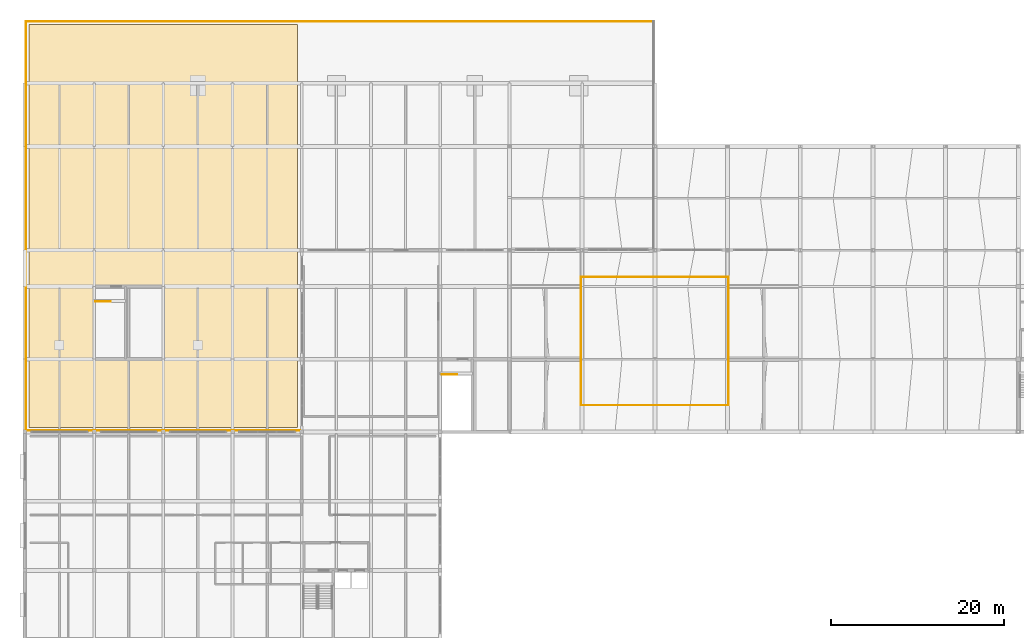
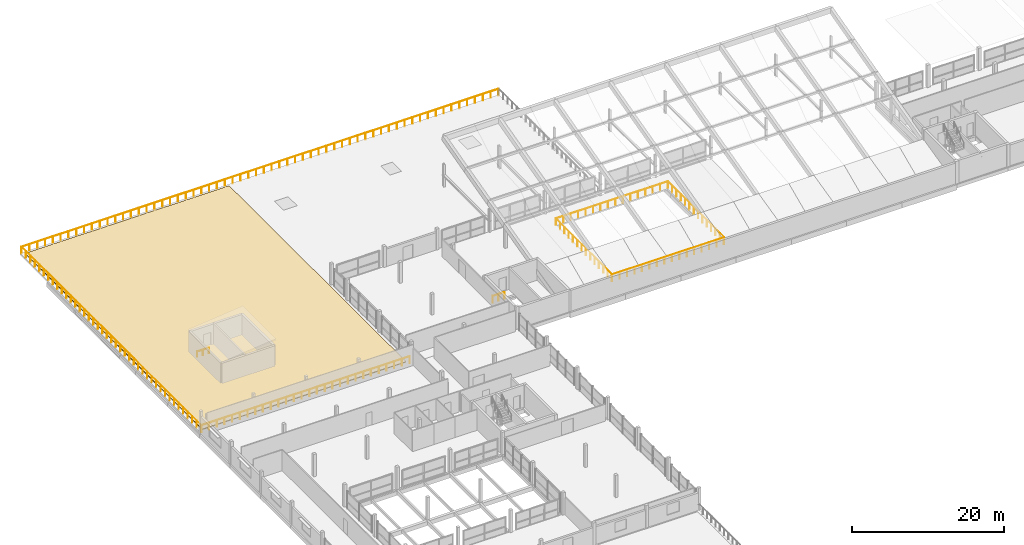
# One storey, part 47 of 51: 9 railings, 1 covering.
"""IFC4 building model written with IfcOpenShell, lengths in metres."""

from ifc_helpers import new_model, si_unit, direction, frame, origin, origin_2d, place, context, subcontext, project, spatial, polyline, circle, outline, extrude, material, layer, layer_set, type_object, element, save


model = new_model("IFC4")

# Units and contexts
model_context = context("Model", 3, precision=1e-05, world=origin(), true_north=direction((0.0, 1.0)))
body_context = subcontext(model_context, "Body", "Model", "MODEL_VIEW")
ifc_project = project(units=[si_unit("LENGTHUNIT", "METRE"), si_unit("AREAUNIT", "SQUARE_METRE"), si_unit("VOLUMEUNIT", "CUBIC_METRE"), si_unit("PLANEANGLEUNIT", "RADIAN"), si_unit("MASSUNIT", "GRAM", prefix="KILO")], contexts=[model_context])

# Site, building, storey
site_placement = place(None, origin())
site = spatial("IfcSite", under=ifc_project, at=site_placement, CompositionType="ELEMENT")
building_placement = place(site_placement, origin())
building = spatial("IfcBuilding", under=site, at=building_placement, Name="Vharandega Faculty of Natural Sciences", CompositionType="ELEMENT")
storey_placement = place(building_placement, frame((0.0, 0.0, 18.0)))
storey = spatial("IfcBuildingStorey", under=building, at=storey_placement, Name="L04", CompositionType="ELEMENT", Elevation=18.0)

# Railings
ifc_material_1 = material(Name="Timber-capped steel and glass balustrade", Category="steel")
railing_type_1 = type_object("IfcRailingType", Name="Atrium Void Balustrade 1100", PredefinedType="BALUSTRADE", material=ifc_material_1)
railing_1_placement = place(storey_placement, frame((64.304931640625, 67.080078125, 0.0)))
element("IfcRailing", 1, at=railing_1_placement, inside=storey, type_object=railing_type_1, Name="Atrium Void Balustrade L04 #1", PredefinedType="BALUSTRADE", context=body_context, shape_type="SweptSolid", body=[
    extrude(circle(Radius=0.02392578125, at=origin_2d()), frame((0.0, 0.0, 1.076171875), z_axis=(1.0, 0.0, 0.0), x_axis=(0.0, 1.0, 0.0)), (0.0, 0.0, 1.0), 16.989990234375),
    extrude(circle(Radius=0.02099609375, at=origin_2d()), origin(), (0.0, 0.0, 1.0), 1.052001953125),
    extrude(circle(Radius=0.02099609375, at=origin_2d()), frame((1.132568359375, 0.0, 0.0)), (0.0, 0.0, 1.0), 1.052001953125),
    extrude(circle(Radius=0.02099609375, at=origin_2d()), frame((2.265380859375, 0.0, 0.0)), (0.0, 0.0, 1.0), 1.052001953125),
    extrude(circle(Radius=0.02099609375, at=origin_2d()), frame((3.39794921875, 0.0, 0.0)), (0.0, 0.0, 1.0), 1.052001953125),
    extrude(circle(Radius=0.02099609375, at=origin_2d()), frame((4.53076171875, 0.0, 0.0)), (0.0, 0.0, 1.0), 1.052001953125),
    extrude(circle(Radius=0.02099609375, at=origin_2d()), frame((5.663330078125, 0.0, 0.0)), (0.0, 0.0, 1.0), 1.052001953125),
    extrude(circle(Radius=0.02099609375, at=origin_2d()), frame((6.7958984375, 0.0, 0.0)), (0.0, 0.0, 1.0), 1.052001953125),
    extrude(circle(Radius=0.02099609375, at=origin_2d()), frame((7.9287109375, 0.0, 0.0)), (0.0, 0.0, 1.0), 1.052001953125),
    extrude(circle(Radius=0.02099609375, at=origin_2d()), frame((9.061279296875, 0.0, 0.0)), (0.0, 0.0, 1.0), 1.052001953125),
    extrude(circle(Radius=0.02099609375, at=origin_2d()), frame((10.194091796875, 0.0, 0.0)), (0.0, 0.0, 1.0), 1.052001953125),
    extrude(circle(Radius=0.02099609375, at=origin_2d()), frame((11.32666015625, 0.0, 0.0)), (0.0, 0.0, 1.0), 1.052001953125),
    extrude(circle(Radius=0.02099609375, at=origin_2d()), frame((12.459228515625, 0.0, 0.0)), (0.0, 0.0, 1.0), 1.052001953125),
    extrude(circle(Radius=0.02099609375, at=origin_2d()), frame((13.592041015625, 0.0, 0.0)), (0.0, 0.0, 1.0), 1.052001953125),
    extrude(circle(Radius=0.02099609375, at=origin_2d()), frame((14.724609375, 0.0, 0.0)), (0.0, 0.0, 1.0), 1.052001953125),
    extrude(circle(Radius=0.02099609375, at=origin_2d()), frame((15.857421875, 0.0, 0.0)), (0.0, 0.0, 1.0), 1.052001953125),
    extrude(circle(Radius=0.02099609375, at=origin_2d()), frame((16.989990234375, 0.0, 0.0)), (0.0, 0.0, 1.0), 1.052001953125),
])
railing_2_placement = place(storey_placement, frame((81.320068359375, 67.10498046875, 0.0)))
element("IfcRailing", 2, at=railing_2_placement, inside=storey, type_object=railing_type_1, Name="Atrium Void Balustrade L04 #2", PredefinedType="BALUSTRADE", context=body_context, shape_type="SweptSolid", body=[
    extrude(circle(Radius=0.02392578125, at=origin_2d()), frame((0.0, 0.0, 1.076171875), z_axis=(0.0, 1.0, 0.0), x_axis=(-1.0, 0.0, 0.0)), (0.0, 0.0, 1.0), 14.7900390625),
    extrude(circle(Radius=0.02099609375, at=origin_2d()), origin(), (0.0, 0.0, 1.0), 1.052001953125),
    extrude(circle(Radius=0.02099609375, at=origin_2d()), frame((0.0, 1.1376953125, 0.0)), (0.0, 0.0, 1.0), 1.052001953125),
    extrude(circle(Radius=0.02099609375, at=origin_2d()), frame((0.0, 2.275390625, 0.0)), (0.0, 0.0, 1.0), 1.052001953125),
    extrude(circle(Radius=0.02099609375, at=origin_2d()), frame((0.0, 3.4130859375, 0.0)), (0.0, 0.0, 1.0), 1.052001953125),
    extrude(circle(Radius=0.02099609375, at=origin_2d()), frame((0.0, 4.55078125, 0.0)), (0.0, 0.0, 1.0), 1.052001953125),
    extrude(circle(Radius=0.02099609375, at=origin_2d()), frame((0.0, 5.6884765625, 0.0)), (0.0, 0.0, 1.0), 1.052001953125),
    extrude(circle(Radius=0.02099609375, at=origin_2d()), frame((0.0, 6.826171875, 0.0)), (0.0, 0.0, 1.0), 1.052001953125),
    extrude(circle(Radius=0.02099609375, at=origin_2d()), frame((0.0, 7.9638671875, 0.0)), (0.0, 0.0, 1.0), 1.052001953125),
    extrude(circle(Radius=0.02099609375, at=origin_2d()), frame((0.0, 9.1015625, 0.0)), (0.0, 0.0, 1.0), 1.052001953125),
    extrude(circle(Radius=0.02099609375, at=origin_2d()), frame((0.0, 10.2392578125, 0.0)), (0.0, 0.0, 1.0), 1.052001953125),
    extrude(circle(Radius=0.02099609375, at=origin_2d()), frame((0.0, 11.376953125, 0.0)), (0.0, 0.0, 1.0), 1.052001953125),
    extrude(circle(Radius=0.02099609375, at=origin_2d()), frame((0.0, 12.5146484375, 0.0)), (0.0, 0.0, 1.0), 1.052001953125),
    extrude(circle(Radius=0.02099609375, at=origin_2d()), frame((0.0, 13.65234375, 0.0)), (0.0, 0.0, 1.0), 1.052001953125),
    extrude(circle(Radius=0.02099609375, at=origin_2d()), frame((0.0, 14.7900390625, 0.0)), (0.0, 0.0, 1.0), 1.052001953125),
])
railing_3_placement = place(storey_placement, frame((81.294921875, 81.919921875, 0.0)))
element("IfcRailing", 3, at=railing_3_placement, inside=storey, type_object=railing_type_1, Name="Atrium Void Balustrade L04 #3", PredefinedType="BALUSTRADE", context=body_context, shape_type="SweptSolid", body=[
    extrude(circle(Radius=0.02392578125, at=origin_2d()), frame((0.0, 0.0, 1.076171875), z_axis=(-1.0, 0.0, 0.0), x_axis=(0.0, -1.0, 0.0)), (0.0, 0.0, 1.0), 16.989990234375),
    extrude(circle(Radius=0.02099609375, at=origin_2d()), origin(), (0.0, 0.0, 1.0), 1.052001953125),
    extrude(circle(Radius=0.02099609375, at=origin_2d()), frame((-1.132568359375, 0.0, 0.0)), (0.0, 0.0, 1.0), 1.052001953125),
    extrude(circle(Radius=0.02099609375, at=origin_2d()), frame((-2.265380859375, 0.0, 0.0)), (0.0, 0.0, 1.0), 1.052001953125),
    extrude(circle(Radius=0.02099609375, at=origin_2d()), frame((-3.39794921875, 0.0, 0.0)), (0.0, 0.0, 1.0), 1.052001953125),
    extrude(circle(Radius=0.02099609375, at=origin_2d()), frame((-4.53076171875, 0.0, 0.0)), (0.0, 0.0, 1.0), 1.052001953125),
    extrude(circle(Radius=0.02099609375, at=origin_2d()), frame((-5.663330078125, 0.0, 0.0)), (0.0, 0.0, 1.0), 1.052001953125),
    extrude(circle(Radius=0.02099609375, at=origin_2d()), frame((-6.7958984375, 0.0, 0.0)), (0.0, 0.0, 1.0), 1.052001953125),
    extrude(circle(Radius=0.02099609375, at=origin_2d()), frame((-7.9287109375, 0.0, 0.0)), (0.0, 0.0, 1.0), 1.052001953125),
    extrude(circle(Radius=0.02099609375, at=origin_2d()), frame((-9.061279296875, 0.0, 0.0)), (0.0, 0.0, 1.0), 1.052001953125),
    extrude(circle(Radius=0.02099609375, at=origin_2d()), frame((-10.194091796875, 0.0, 0.0)), (0.0, 0.0, 1.0), 1.052001953125),
    extrude(circle(Radius=0.02099609375, at=origin_2d()), frame((-11.32666015625, 0.0, 0.0)), (0.0, 0.0, 1.0), 1.052001953125),
    extrude(circle(Radius=0.02099609375, at=origin_2d()), frame((-12.459228515625, 0.0, 0.0)), (0.0, 0.0, 1.0), 1.052001953125),
    extrude(circle(Radius=0.02099609375, at=origin_2d()), frame((-13.592041015625, 0.0, 0.0)), (0.0, 0.0, 1.0), 1.052001953125),
    extrude(circle(Radius=0.02099609375, at=origin_2d()), frame((-14.724609375, 0.0, 0.0)), (0.0, 0.0, 1.0), 1.052001953125),
    extrude(circle(Radius=0.02099609375, at=origin_2d()), frame((-15.857421875, 0.0, 0.0)), (0.0, 0.0, 1.0), 1.052001953125),
    extrude(circle(Radius=0.02099609375, at=origin_2d()), frame((-16.989990234375, 0.0, 0.0)), (0.0, 0.0, 1.0), 1.052001953125),
])
railing_4_placement = place(storey_placement, frame((64.280029296875, 81.89501953125, 0.0)))
element("IfcRailing", 4, at=railing_4_placement, inside=storey, type_object=railing_type_1, Name="Atrium Void Balustrade L04 #4", PredefinedType="BALUSTRADE", context=body_context, shape_type="SweptSolid", body=[
    extrude(circle(Radius=0.02392578125, at=origin_2d()), frame((0.0, 0.0, 1.076171875), z_axis=(0.0, -1.0, 0.0), x_axis=(1.0, 0.0, 0.0)), (0.0, 0.0, 1.0), 14.7900390625),
    extrude(circle(Radius=0.02099609375, at=origin_2d()), origin(), (0.0, 0.0, 1.0), 1.052001953125),
    extrude(circle(Radius=0.02099609375, at=origin_2d()), frame((0.0, -1.1376953125, 0.0)), (0.0, 0.0, 1.0), 1.052001953125),
    extrude(circle(Radius=0.02099609375, at=origin_2d()), frame((0.0, -2.275390625, 0.0)), (0.0, 0.0, 1.0), 1.052001953125),
    extrude(circle(Radius=0.02099609375, at=origin_2d()), frame((0.0, -3.4130859375, 0.0)), (0.0, 0.0, 1.0), 1.052001953125),
    extrude(circle(Radius=0.02099609375, at=origin_2d()), frame((0.0, -4.55078125, 0.0)), (0.0, 0.0, 1.0), 1.052001953125),
    extrude(circle(Radius=0.02099609375, at=origin_2d()), frame((0.0, -5.6884765625, 0.0)), (0.0, 0.0, 1.0), 1.052001953125),
    extrude(circle(Radius=0.02099609375, at=origin_2d()), frame((0.0, -6.826171875, 0.0)), (0.0, 0.0, 1.0), 1.052001953125),
    extrude(circle(Radius=0.02099609375, at=origin_2d()), frame((0.0, -7.9638671875, 0.0)), (0.0, 0.0, 1.0), 1.052001953125),
    extrude(circle(Radius=0.02099609375, at=origin_2d()), frame((0.0, -9.1015625, 0.0)), (0.0, 0.0, 1.0), 1.052001953125),
    extrude(circle(Radius=0.02099609375, at=origin_2d()), frame((0.0, -10.2392578125, 0.0)), (0.0, 0.0, 1.0), 1.052001953125),
    extrude(circle(Radius=0.02099609375, at=origin_2d()), frame((0.0, -11.376953125, 0.0)), (0.0, 0.0, 1.0), 1.052001953125),
    extrude(circle(Radius=0.02099609375, at=origin_2d()), frame((0.0, -12.5146484375, 0.0)), (0.0, 0.0, 1.0), 1.052001953125),
    extrude(circle(Radius=0.02099609375, at=origin_2d()), frame((0.0, -13.65234375, 0.0)), (0.0, 0.0, 1.0), 1.052001953125),
    extrude(circle(Radius=0.02099609375, at=origin_2d()), frame((0.0, -14.7900390625, 0.0)), (0.0, 0.0, 1.0), 1.052001953125),
])

# Covering
ifc_material_2 = material(Name="Planted green roof substrate and membrane", Category="concrete")
ifc_layer = layer(ifc_material_2, 0.1201171875, Name="Planted green roof substrate and membrane")
ifc_layer_set = layer_set([ifc_layer], Name="Planted green roof substrate and membrane")
covering_type = type_object("IfcCoveringType", Name="Planted Intensive Green Roof Build-Up", PredefinedType="ROOFING", material=ifc_layer_set)
covering_placement = place(storey_placement, origin())
element("IfcCovering", 5, at=covering_placement, inside=storey, type_object=covering_type, Name="Roof Covering L04-01", PredefinedType="ROOFING", context=body_context, shape_type="SweptSolid", body=[
    extrude(outline(polyline([(0.5, 64.5), (31.5, 64.5), (31.5, 111.10009765625), (0.5, 111.10009765625), (0.5, 64.5)])), origin(), (0.0, 0.0, 1.0), 0.1201171875),
])

# Railings
ifc_material_3 = material(Name="Painted steel stair guardrail", Category="steel")
railing_type_2 = type_object("IfcRailingType", Name="Stairwell Steel Guardrail 1100", PredefinedType="GUARDRAIL", material=ifc_material_3)
for number, where, name in (
    (6, (8.139892578125, 79.06005859375, 0.0), "L04 ST4 top well guard 1"),
    (7, (48.199951171875, 70.659912109375, 0.0), "L04 ST5 top well guard 1"),
):
    element("IfcRailing", number, at=place(storey_placement, frame(where)), inside=storey, type_object=railing_type_2, Name=name, PredefinedType="GUARDRAIL", context=body_context, shape_type="SweptSolid", body=[
        extrude(circle(Radius=0.02392578125, at=origin_2d()), frame((0.0, 0.0, 1.076171875), z_axis=(1.0, 0.0, 0.0), x_axis=(0.0, 1.0, 0.0)), (0.0, 0.0, 1.0), 1.77001953125),
        extrude(circle(Radius=0.02099609375, at=origin_2d()), origin(), (0.0, 0.0, 1.0), 1.052001953125),
        extrude(circle(Radius=0.02099609375, at=origin_2d()), frame((0.885009765625, 0.0, 0.0)), (0.0, 0.0, 1.0), 1.052001953125),
        extrude(circle(Radius=0.02099609375, at=origin_2d()), frame((1.77001953125, 0.0, 0.0)), (0.0, 0.0, 1.0), 1.052001953125),
    ])
ifc_material_4 = material(Name="Galvanised painted steel balustrade", Category="steel")
railing_type_3 = type_object("IfcRailingType", Name="Terrace Steel Guardrail 1100", PredefinedType="GUARDRAIL", material=ifc_material_4)
railing_5_placement = place(storey_placement, frame((31.824951171875, 64.14990234375, 0.0)))
element("IfcRailing", 8, at=railing_5_placement, inside=storey, type_object=railing_type_3, Name="Guardrail L04 #1", PredefinedType="GUARDRAIL", context=body_context, shape_type="SweptSolid", body=[
    extrude(circle(Radius=0.02392578125, at=origin_2d()), frame((0.0, 0.0, 1.076171875), z_axis=(-1.0, 0.0, 0.0), x_axis=(0.0, -1.0, 0.0)), (0.0, 0.0, 1.0), 31.64990234375),
    extrude(circle(Radius=0.02099609375, at=origin_2d()), origin(), (0.0, 0.0, 1.0), 1.052001953125),
    extrude(circle(Radius=0.02099609375, at=origin_2d()), frame((-1.172119140625, 0.0, 0.0)), (0.0, 0.0, 1.0), 1.052001953125),
    extrude(circle(Radius=0.02099609375, at=origin_2d()), frame((-2.344482421875, 0.0, 0.0)), (0.0, 0.0, 1.0), 1.052001953125),
    extrude(circle(Radius=0.02099609375, at=origin_2d()), frame((-3.5166015625, 0.0, 0.0)), (0.0, 0.0, 1.0), 1.052001953125),
    extrude(circle(Radius=0.02099609375, at=origin_2d()), frame((-4.68896484375, 0.0, 0.0)), (0.0, 0.0, 1.0), 1.052001953125),
    extrude(circle(Radius=0.02099609375, at=origin_2d()), frame((-5.861083984375, 0.0, 0.0)), (0.0, 0.0, 1.0), 1.052001953125),
    extrude(circle(Radius=0.02099609375, at=origin_2d()), frame((-7.033203125, 0.0, 0.0)), (0.0, 0.0, 1.0), 1.052001953125),
    extrude(circle(Radius=0.02099609375, at=origin_2d()), frame((-8.20556640625, 0.0, 0.0)), (0.0, 0.0, 1.0), 1.052001953125),
    extrude(circle(Radius=0.02099609375, at=origin_2d()), frame((-9.377685546875, 0.0, 0.0)), (0.0, 0.0, 1.0), 1.052001953125),
    extrude(circle(Radius=0.02099609375, at=origin_2d()), frame((-10.550048828125, 0.0, 0.0)), (0.0, 0.0, 1.0), 1.052001953125),
    extrude(circle(Radius=0.02099609375, at=origin_2d()), frame((-11.72216796875, 0.0, 0.0)), (0.0, 0.0, 1.0), 1.052001953125),
    extrude(circle(Radius=0.02099609375, at=origin_2d()), frame((-12.894287109375, 0.0, 0.0)), (0.0, 0.0, 1.0), 1.052001953125),
    extrude(circle(Radius=0.02099609375, at=origin_2d()), frame((-14.066650390625, 0.0, 0.0)), (0.0, 0.0, 1.0), 1.052001953125),
    extrude(circle(Radius=0.02099609375, at=origin_2d()), frame((-15.23876953125, 0.0, 0.0)), (0.0, 0.0, 1.0), 1.052001953125),
    extrude(circle(Radius=0.02099609375, at=origin_2d()), frame((-16.4111328125, 0.0, 0.0)), (0.0, 0.0, 1.0), 1.052001953125),
    extrude(circle(Radius=0.02099609375, at=origin_2d()), frame((-17.583251953125, 0.0, 0.0)), (0.0, 0.0, 1.0), 1.052001953125),
    extrude(circle(Radius=0.02099609375, at=origin_2d()), frame((-18.755615234375, 0.0, 0.0)), (0.0, 0.0, 1.0), 1.052001953125),
    extrude(circle(Radius=0.02099609375, at=origin_2d()), frame((-19.927734375, 0.0, 0.0)), (0.0, 0.0, 1.0), 1.052001953125),
    extrude(circle(Radius=0.02099609375, at=origin_2d()), frame((-21.099853515625, 0.0, 0.0)), (0.0, 0.0, 1.0), 1.052001953125),
    extrude(circle(Radius=0.02099609375, at=origin_2d()), frame((-22.272216796875, 0.0, 0.0)), (0.0, 0.0, 1.0), 1.052001953125),
    extrude(circle(Radius=0.02099609375, at=origin_2d()), frame((-23.4443359375, 0.0, 0.0)), (0.0, 0.0, 1.0), 1.052001953125),
    extrude(circle(Radius=0.02099609375, at=origin_2d()), frame((-24.61669921875, 0.0, 0.0)), (0.0, 0.0, 1.0), 1.052001953125),
    extrude(circle(Radius=0.02099609375, at=origin_2d()), frame((-25.788818359375, 0.0, 0.0)), (0.0, 0.0, 1.0), 1.052001953125),
    extrude(circle(Radius=0.02099609375, at=origin_2d()), frame((-26.9609375, 0.0, 0.0)), (0.0, 0.0, 1.0), 1.052001953125),
    extrude(circle(Radius=0.02099609375, at=origin_2d()), frame((-28.13330078125, 0.0, 0.0)), (0.0, 0.0, 1.0), 1.052001953125),
    extrude(circle(Radius=0.02099609375, at=origin_2d()), frame((-29.305419921875, 0.0, 0.0)), (0.0, 0.0, 1.0), 1.052001953125),
    extrude(circle(Radius=0.02099609375, at=origin_2d()), frame((-30.477783203125, 0.0, 0.0)), (0.0, 0.0, 1.0), 1.052001953125),
    extrude(circle(Radius=0.02099609375, at=origin_2d()), frame((-31.64990234375, 0.0, 0.0)), (0.0, 0.0, 1.0), 1.052001953125),
])
railing_6_placement = place(storey_placement, frame((0.14990234375, 64.175048828125, 0.0)))
element("IfcRailing", 9, at=railing_6_placement, inside=storey, type_object=railing_type_3, Name="Guardrail L04 #2", PredefinedType="GUARDRAIL", context=body_context, shape_type="SweptSolid", body=[
    extrude(circle(Radius=0.02392578125, at=origin_2d()), frame((0.0, 0.0, 1.076171875), z_axis=(0.0, 1.0, 0.0), x_axis=(-1.0, 0.0, 0.0)), (0.0, 0.0, 1.0), 47.25),
    extrude(circle(Radius=0.02099609375, at=origin_2d()), origin(), (0.0, 0.0, 1.0), 1.052001953125),
    extrude(circle(Radius=0.02099609375, at=origin_2d()), frame((0.0, 1.18115234375, 0.0)), (0.0, 0.0, 1.0), 1.052001953125),
    extrude(circle(Radius=0.02099609375, at=origin_2d()), frame((0.0, 2.362548828125, 0.0)), (0.0, 0.0, 1.0), 1.052001953125),
    extrude(circle(Radius=0.02099609375, at=origin_2d()), frame((0.0, 3.543701171875, 0.0)), (0.0, 0.0, 1.0), 1.052001953125),
    extrude(circle(Radius=0.02099609375, at=origin_2d()), frame((0.0, 4.72509765625, 0.0)), (0.0, 0.0, 1.0), 1.052001953125),
    extrude(circle(Radius=0.02099609375, at=origin_2d()), frame((0.0, 5.90625, 0.0)), (0.0, 0.0, 1.0), 1.052001953125),
    extrude(circle(Radius=0.02099609375, at=origin_2d()), frame((0.0, 7.08740234375, 0.0)), (0.0, 0.0, 1.0), 1.052001953125),
    extrude(circle(Radius=0.02099609375, at=origin_2d()), frame((0.0, 8.268798828125, 0.0)), (0.0, 0.0, 1.0), 1.052001953125),
    extrude(circle(Radius=0.02099609375, at=origin_2d()), frame((0.0, 9.449951171875, 0.0)), (0.0, 0.0, 1.0), 1.052001953125),
    extrude(circle(Radius=0.02099609375, at=origin_2d()), frame((0.0, 10.63134765625, 0.0)), (0.0, 0.0, 1.0), 1.052001953125),
    extrude(circle(Radius=0.02099609375, at=origin_2d()), frame((0.0, 11.8125, 0.0)), (0.0, 0.0, 1.0), 1.052001953125),
    extrude(circle(Radius=0.02099609375, at=origin_2d()), frame((0.0, 12.99365234375, 0.0)), (0.0, 0.0, 1.0), 1.052001953125),
    extrude(circle(Radius=0.02099609375, at=origin_2d()), frame((0.0, 14.175048828125, 0.0)), (0.0, 0.0, 1.0), 1.052001953125),
    extrude(circle(Radius=0.02099609375, at=origin_2d()), frame((0.0, 15.356201171875, 0.0)), (0.0, 0.0, 1.0), 1.052001953125),
    extrude(circle(Radius=0.02099609375, at=origin_2d()), frame((0.0, 16.53759765625, 0.0)), (0.0, 0.0, 1.0), 1.052001953125),
    extrude(circle(Radius=0.02099609375, at=origin_2d()), frame((0.0, 17.71875, 0.0)), (0.0, 0.0, 1.0), 1.052001953125),
    extrude(circle(Radius=0.02099609375, at=origin_2d()), frame((0.0, 18.89990234375, 0.0)), (0.0, 0.0, 1.0), 1.052001953125),
    extrude(circle(Radius=0.02099609375, at=origin_2d()), frame((0.0, 20.081298828125, 0.0)), (0.0, 0.0, 1.0), 1.052001953125),
    extrude(circle(Radius=0.02099609375, at=origin_2d()), frame((0.0, 21.262451171875, 0.0)), (0.0, 0.0, 1.0), 1.052001953125),
    extrude(circle(Radius=0.02099609375, at=origin_2d()), frame((0.0, 22.44384765625, 0.0)), (0.0, 0.0, 1.0), 1.052001953125),
    extrude(circle(Radius=0.02099609375, at=origin_2d()), frame((0.0, 23.625, 0.0)), (0.0, 0.0, 1.0), 1.052001953125),
    extrude(circle(Radius=0.02099609375, at=origin_2d()), frame((0.0, 24.80615234375, 0.0)), (0.0, 0.0, 1.0), 1.052001953125),
    extrude(circle(Radius=0.02099609375, at=origin_2d()), frame((0.0, 25.987548828125, 0.0)), (0.0, 0.0, 1.0), 1.052001953125),
    extrude(circle(Radius=0.02099609375, at=origin_2d()), frame((0.0, 27.168701171875, 0.0)), (0.0, 0.0, 1.0), 1.052001953125),
    extrude(circle(Radius=0.02099609375, at=origin_2d()), frame((0.0, 28.35009765625, 0.0)), (0.0, 0.0, 1.0), 1.052001953125),
    extrude(circle(Radius=0.02099609375, at=origin_2d()), frame((0.0, 29.53125, 0.0)), (0.0, 0.0, 1.0), 1.052001953125),
    extrude(circle(Radius=0.02099609375, at=origin_2d()), frame((0.0, 30.71240234375, 0.0)), (0.0, 0.0, 1.0), 1.052001953125),
    extrude(circle(Radius=0.02099609375, at=origin_2d()), frame((0.0, 31.893798828125, 0.0)), (0.0, 0.0, 1.0), 1.052001953125),
    extrude(circle(Radius=0.02099609375, at=origin_2d()), frame((0.0, 33.074951171875, 0.0)), (0.0, 0.0, 1.0), 1.052001953125),
    extrude(circle(Radius=0.02099609375, at=origin_2d()), frame((0.0, 34.25634765625, 0.0)), (0.0, 0.0, 1.0), 1.052001953125),
    extrude(circle(Radius=0.02099609375, at=origin_2d()), frame((0.0, 35.4375, 0.0)), (0.0, 0.0, 1.0), 1.052001953125),
    extrude(circle(Radius=0.02099609375, at=origin_2d()), frame((0.0, 36.61865234375, 0.0)), (0.0, 0.0, 1.0), 1.052001953125),
    extrude(circle(Radius=0.02099609375, at=origin_2d()), frame((0.0, 37.800048828125, 0.0)), (0.0, 0.0, 1.0), 1.052001953125),
    extrude(circle(Radius=0.02099609375, at=origin_2d()), frame((0.0, 38.981201171875, 0.0)), (0.0, 0.0, 1.0), 1.052001953125),
    extrude(circle(Radius=0.02099609375, at=origin_2d()), frame((0.0, 40.16259765625, 0.0)), (0.0, 0.0, 1.0), 1.052001953125),
    extrude(circle(Radius=0.02099609375, at=origin_2d()), frame((0.0, 41.34375, 0.0)), (0.0, 0.0, 1.0), 1.052001953125),
    extrude(circle(Radius=0.02099609375, at=origin_2d()), frame((0.0, 42.52490234375, 0.0)), (0.0, 0.0, 1.0), 1.052001953125),
    extrude(circle(Radius=0.02099609375, at=origin_2d()), frame((0.0, 43.706298828125, 0.0)), (0.0, 0.0, 1.0), 1.052001953125),
    extrude(circle(Radius=0.02099609375, at=origin_2d()), frame((0.0, 44.887451171875, 0.0)), (0.0, 0.0, 1.0), 1.052001953125),
    extrude(circle(Radius=0.02099609375, at=origin_2d()), frame((0.0, 46.06884765625, 0.0)), (0.0, 0.0, 1.0), 1.052001953125),
    extrude(circle(Radius=0.02099609375, at=origin_2d()), frame((0.0, 47.25, 0.0)), (0.0, 0.0, 1.0), 1.052001953125),
])
railing_7_placement = place(storey_placement, frame((0.175048828125, 111.449951171875, 0.0)))
element("IfcRailing", 10, at=railing_7_placement, inside=storey, type_object=railing_type_3, Name="Guardrail L04 #3", PredefinedType="GUARDRAIL", context=body_context, shape_type="SweptSolid", body=[
    extrude(circle(Radius=0.02392578125, at=origin_2d()), frame((0.0, 0.0, 1.076171875), z_axis=(1.0, 0.0, 0.0), x_axis=(0.0, 1.0, 0.0)), (0.0, 0.0, 1.0), 72.449951171875),
    extrude(circle(Radius=0.02099609375, at=origin_2d()), origin(), (0.0, 0.0, 1.0), 1.052001953125),
    extrude(circle(Radius=0.02099609375, at=origin_2d()), frame((1.187744140625, 0.0, 0.0)), (0.0, 0.0, 1.0), 1.052001953125),
    extrude(circle(Radius=0.02099609375, at=origin_2d()), frame((2.37548828125, 0.0, 0.0)), (0.0, 0.0, 1.0), 1.052001953125),
    extrude(circle(Radius=0.02099609375, at=origin_2d()), frame((3.563232421875, 0.0, 0.0)), (0.0, 0.0, 1.0), 1.052001953125),
    extrude(circle(Radius=0.02099609375, at=origin_2d()), frame((4.750732421875, 0.0, 0.0)), (0.0, 0.0, 1.0), 1.052001953125),
    extrude(circle(Radius=0.02099609375, at=origin_2d()), frame((5.9384765625, 0.0, 0.0)), (0.0, 0.0, 1.0), 1.052001953125),
    extrude(circle(Radius=0.02099609375, at=origin_2d()), frame((7.126220703125, 0.0, 0.0)), (0.0, 0.0, 1.0), 1.052001953125),
    extrude(circle(Radius=0.02099609375, at=origin_2d()), frame((8.31396484375, 0.0, 0.0)), (0.0, 0.0, 1.0), 1.052001953125),
    extrude(circle(Radius=0.02099609375, at=origin_2d()), frame((9.501708984375, 0.0, 0.0)), (0.0, 0.0, 1.0), 1.052001953125),
    extrude(circle(Radius=0.02099609375, at=origin_2d()), frame((10.689453125, 0.0, 0.0)), (0.0, 0.0, 1.0), 1.052001953125),
    extrude(circle(Radius=0.02099609375, at=origin_2d()), frame((11.876953125, 0.0, 0.0)), (0.0, 0.0, 1.0), 1.052001953125),
    extrude(circle(Radius=0.02099609375, at=origin_2d()), frame((13.064697265625, 0.0, 0.0)), (0.0, 0.0, 1.0), 1.052001953125),
    extrude(circle(Radius=0.02099609375, at=origin_2d()), frame((14.25244140625, 0.0, 0.0)), (0.0, 0.0, 1.0), 1.052001953125),
    extrude(circle(Radius=0.02099609375, at=origin_2d()), frame((15.440185546875, 0.0, 0.0)), (0.0, 0.0, 1.0), 1.052001953125),
    extrude(circle(Radius=0.02099609375, at=origin_2d()), frame((16.6279296875, 0.0, 0.0)), (0.0, 0.0, 1.0), 1.052001953125),
    extrude(circle(Radius=0.02099609375, at=origin_2d()), frame((17.815673828125, 0.0, 0.0)), (0.0, 0.0, 1.0), 1.052001953125),
    extrude(circle(Radius=0.02099609375, at=origin_2d()), frame((19.003173828125, 0.0, 0.0)), (0.0, 0.0, 1.0), 1.052001953125),
    extrude(circle(Radius=0.02099609375, at=origin_2d()), frame((20.19091796875, 0.0, 0.0)), (0.0, 0.0, 1.0), 1.052001953125),
    extrude(circle(Radius=0.02099609375, at=origin_2d()), frame((21.378662109375, 0.0, 0.0)), (0.0, 0.0, 1.0), 1.052001953125),
    extrude(circle(Radius=0.02099609375, at=origin_2d()), frame((22.56640625, 0.0, 0.0)), (0.0, 0.0, 1.0), 1.052001953125),
    extrude(circle(Radius=0.02099609375, at=origin_2d()), frame((23.754150390625, 0.0, 0.0)), (0.0, 0.0, 1.0), 1.052001953125),
    extrude(circle(Radius=0.02099609375, at=origin_2d()), frame((24.94189453125, 0.0, 0.0)), (0.0, 0.0, 1.0), 1.052001953125),
    extrude(circle(Radius=0.02099609375, at=origin_2d()), frame((26.12939453125, 0.0, 0.0)), (0.0, 0.0, 1.0), 1.052001953125),
    extrude(circle(Radius=0.02099609375, at=origin_2d()), frame((27.317138671875, 0.0, 0.0)), (0.0, 0.0, 1.0), 1.052001953125),
    extrude(circle(Radius=0.02099609375, at=origin_2d()), frame((28.5048828125, 0.0, 0.0)), (0.0, 0.0, 1.0), 1.052001953125),
    extrude(circle(Radius=0.02099609375, at=origin_2d()), frame((29.692626953125, 0.0, 0.0)), (0.0, 0.0, 1.0), 1.052001953125),
    extrude(circle(Radius=0.02099609375, at=origin_2d()), frame((30.88037109375, 0.0, 0.0)), (0.0, 0.0, 1.0), 1.052001953125),
    extrude(circle(Radius=0.02099609375, at=origin_2d()), frame((32.068115234375, 0.0, 0.0)), (0.0, 0.0, 1.0), 1.052001953125),
    extrude(circle(Radius=0.02099609375, at=origin_2d()), frame((33.255615234375, 0.0, 0.0)), (0.0, 0.0, 1.0), 1.052001953125),
    extrude(circle(Radius=0.02099609375, at=origin_2d()), frame((34.443359375, 0.0, 0.0)), (0.0, 0.0, 1.0), 1.052001953125),
    extrude(circle(Radius=0.02099609375, at=origin_2d()), frame((35.631103515625, 0.0, 0.0)), (0.0, 0.0, 1.0), 1.052001953125),
    extrude(circle(Radius=0.02099609375, at=origin_2d()), frame((36.81884765625, 0.0, 0.0)), (0.0, 0.0, 1.0), 1.052001953125),
    extrude(circle(Radius=0.02099609375, at=origin_2d()), frame((38.006591796875, 0.0, 0.0)), (0.0, 0.0, 1.0), 1.052001953125),
    extrude(circle(Radius=0.02099609375, at=origin_2d()), frame((39.1943359375, 0.0, 0.0)), (0.0, 0.0, 1.0), 1.052001953125),
    extrude(circle(Radius=0.02099609375, at=origin_2d()), frame((40.3818359375, 0.0, 0.0)), (0.0, 0.0, 1.0), 1.052001953125),
    extrude(circle(Radius=0.02099609375, at=origin_2d()), frame((41.569580078125, 0.0, 0.0)), (0.0, 0.0, 1.0), 1.052001953125),
    extrude(circle(Radius=0.02099609375, at=origin_2d()), frame((42.75732421875, 0.0, 0.0)), (0.0, 0.0, 1.0), 1.052001953125),
    extrude(circle(Radius=0.02099609375, at=origin_2d()), frame((43.945068359375, 0.0, 0.0)), (0.0, 0.0, 1.0), 1.052001953125),
    extrude(circle(Radius=0.02099609375, at=origin_2d()), frame((45.1328125, 0.0, 0.0)), (0.0, 0.0, 1.0), 1.052001953125),
    extrude(circle(Radius=0.02099609375, at=origin_2d()), frame((46.320556640625, 0.0, 0.0)), (0.0, 0.0, 1.0), 1.052001953125),
    extrude(circle(Radius=0.02099609375, at=origin_2d()), frame((47.508056640625, 0.0, 0.0)), (0.0, 0.0, 1.0), 1.052001953125),
    extrude(circle(Radius=0.02099609375, at=origin_2d()), frame((48.69580078125, 0.0, 0.0)), (0.0, 0.0, 1.0), 1.052001953125),
    extrude(circle(Radius=0.02099609375, at=origin_2d()), frame((49.883544921875, 0.0, 0.0)), (0.0, 0.0, 1.0), 1.052001953125),
    extrude(circle(Radius=0.02099609375, at=origin_2d()), frame((51.0712890625, 0.0, 0.0)), (0.0, 0.0, 1.0), 1.052001953125),
    extrude(circle(Radius=0.02099609375, at=origin_2d()), frame((52.259033203125, 0.0, 0.0)), (0.0, 0.0, 1.0), 1.052001953125),
    extrude(circle(Radius=0.02099609375, at=origin_2d()), frame((53.44677734375, 0.0, 0.0)), (0.0, 0.0, 1.0), 1.052001953125),
    extrude(circle(Radius=0.02099609375, at=origin_2d()), frame((54.63427734375, 0.0, 0.0)), (0.0, 0.0, 1.0), 1.052001953125),
    extrude(circle(Radius=0.02099609375, at=origin_2d()), frame((55.822021484375, 0.0, 0.0)), (0.0, 0.0, 1.0), 1.052001953125),
    extrude(circle(Radius=0.02099609375, at=origin_2d()), frame((57.009765625, 0.0, 0.0)), (0.0, 0.0, 1.0), 1.052001953125),
    extrude(circle(Radius=0.02099609375, at=origin_2d()), frame((58.197509765625, 0.0, 0.0)), (0.0, 0.0, 1.0), 1.052001953125),
    extrude(circle(Radius=0.02099609375, at=origin_2d()), frame((59.38525390625, 0.0, 0.0)), (0.0, 0.0, 1.0), 1.052001953125),
    extrude(circle(Radius=0.02099609375, at=origin_2d()), frame((60.572998046875, 0.0, 0.0)), (0.0, 0.0, 1.0), 1.052001953125),
    extrude(circle(Radius=0.02099609375, at=origin_2d()), frame((61.760498046875, 0.0, 0.0)), (0.0, 0.0, 1.0), 1.052001953125),
    extrude(circle(Radius=0.02099609375, at=origin_2d()), frame((62.9482421875, 0.0, 0.0)), (0.0, 0.0, 1.0), 1.052001953125),
    extrude(circle(Radius=0.02099609375, at=origin_2d()), frame((64.135986328125, 0.0, 0.0)), (0.0, 0.0, 1.0), 1.052001953125),
    extrude(circle(Radius=0.02099609375, at=origin_2d()), frame((65.32373046875, 0.0, 0.0)), (0.0, 0.0, 1.0), 1.052001953125),
    extrude(circle(Radius=0.02099609375, at=origin_2d()), frame((66.511474609375, 0.0, 0.0)), (0.0, 0.0, 1.0), 1.052001953125),
    extrude(circle(Radius=0.02099609375, at=origin_2d()), frame((67.69921875, 0.0, 0.0)), (0.0, 0.0, 1.0), 1.052001953125),
    extrude(circle(Radius=0.02099609375, at=origin_2d()), frame((68.88671875, 0.0, 0.0)), (0.0, 0.0, 1.0), 1.052001953125),
    extrude(circle(Radius=0.02099609375, at=origin_2d()), frame((70.074462890625, 0.0, 0.0)), (0.0, 0.0, 1.0), 1.052001953125),
    extrude(circle(Radius=0.02099609375, at=origin_2d()), frame((71.26220703125, 0.0, 0.0)), (0.0, 0.0, 1.0), 1.052001953125),
    extrude(circle(Radius=0.02099609375, at=origin_2d()), frame((72.449951171875, 0.0, 0.0)), (0.0, 0.0, 1.0), 1.052001953125),
])

save(model, "model.ifc")
